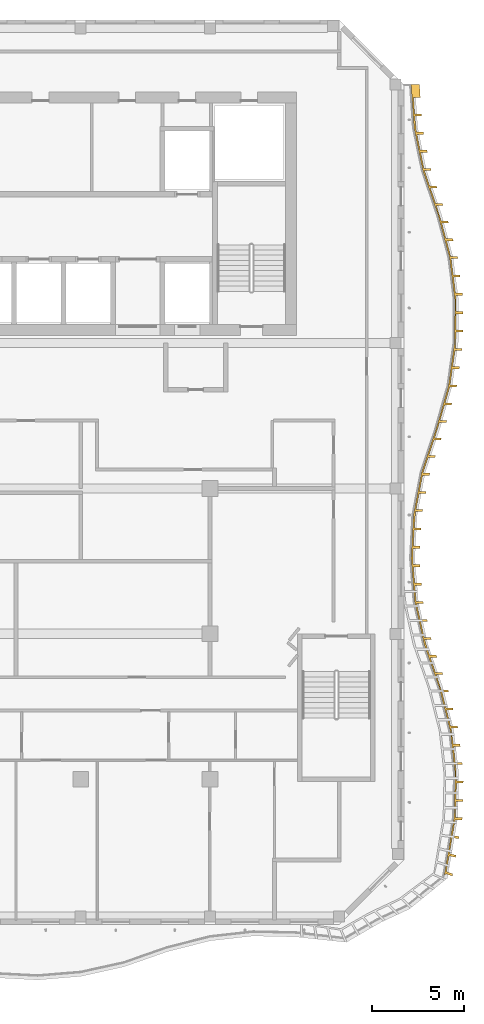
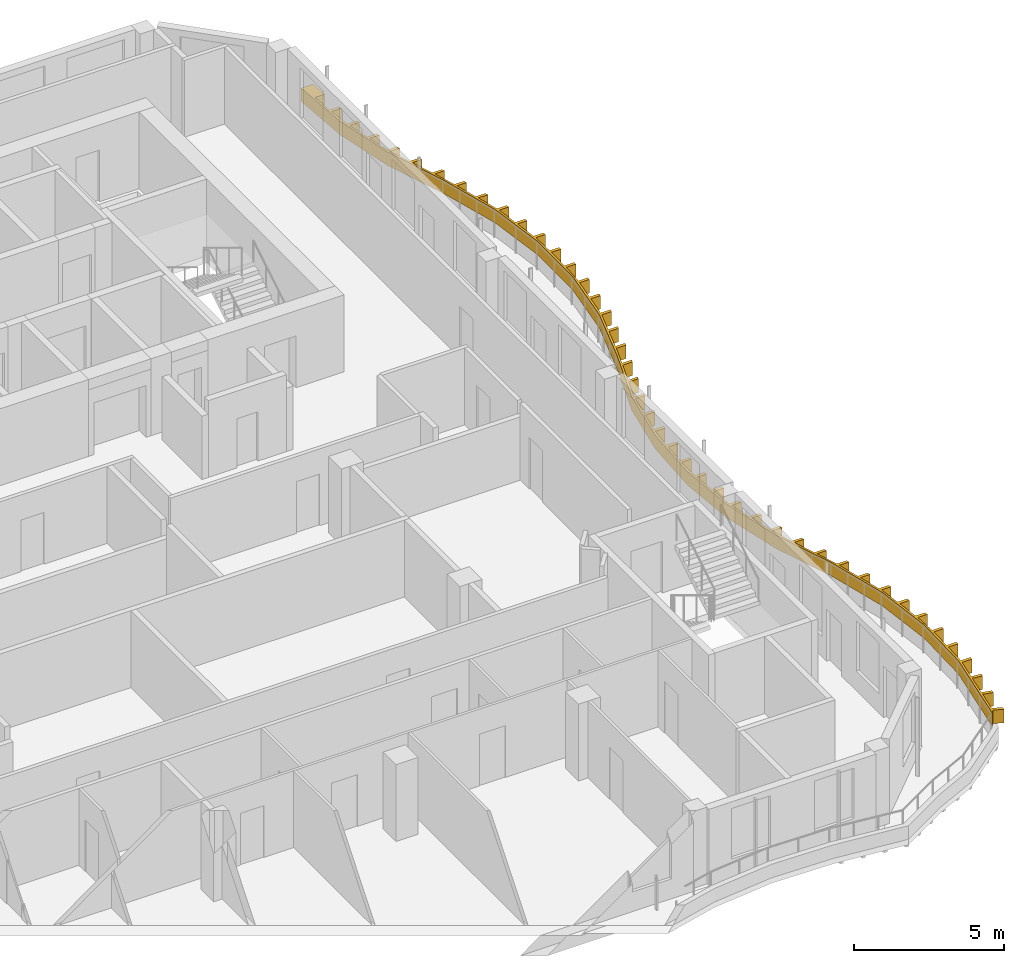
# One storey, part 14 of 17: 1 shading device.
"""IFC4 building model written with IfcOpenShell, lengths in metres."""

from ifc_helpers import new_model, si_unit, direction, frame, origin, place, context, subcontext, project, spatial, polyline, outline, extrude, source, transform, mapped, material, layer, layer_set, type_object, element, save


model = new_model("IFC4")

# Units and contexts
model_context = context("Model", 3, precision=1e-05, world=origin(), true_north=direction((0.0, 1.0)))
body_context = subcontext(model_context, "Body", "Model", "MODEL_VIEW")
ifc_project = project(units=[si_unit("LENGTHUNIT", "METRE"), si_unit("AREAUNIT", "SQUARE_METRE"), si_unit("VOLUMEUNIT", "CUBIC_METRE"), si_unit("PLANEANGLEUNIT", "RADIAN"), si_unit("MASSUNIT", "GRAM", prefix="KILO")], contexts=[model_context])

# Site, building, storey
site_placement = place(None, origin())
site = spatial("IfcSite", under=ifc_project, at=site_placement, CompositionType="ELEMENT")
building_placement = place(site_placement, origin())
building = spatial("IfcBuilding", under=site, at=building_placement, Name="Kilnfold Tower and Market Hall", CompositionType="ELEMENT")
storey_placement = place(building_placement, frame((0.0, 0.0, 301.800048828125)))
storey = spatial("IfcBuildingStorey", under=building, at=storey_placement, Name="L75", CompositionType="ELEMENT", Elevation=301.800048828125)

# Shading device
ifc_material = material(Name="Bronze anodised aluminium", Category="aluminium")
ifc_layer = layer(ifc_material, 0.550048828125)
ifc_layer_set = layer_set([ifc_layer], Name="Bronze anodised aluminium")
shading_device_type = type_object("IfcShadingDeviceType", Name="BRONZE SLAT FASCIA 550", PredefinedType="USERDEFINED", material=ifc_layer_set)
shared_shape = source(origin(), body_context, "Body", "SweptSolid", [
    extrude(outline(polyline([(26.1328125, -20.876220703125), (25.788818359375, -20.74267578125), (25.692138671875, -20.84912109375), (26.231201171875, -17.666748046875), (26.2822265625, -15.333251953125), (26.01806640625, -13.0), (25.424072265625, -10.666748046875), (24.60888671875, -8.333251953125), (24.093017578125, -6.0), (23.90185546875, -3.666748046875), (24.024658203125, -1.333251953125), (24.468505859375, 1.0), (25.248779296875, 3.333251953125), (25.91845703125, 5.666748046875), (26.251953125, 8.0), (26.268798828125, 10.333251953125), (25.97021484375, 12.666748046875), (25.338623046875, 15.0), (24.53662109375, 17.333251953125), (24.056884765625, 19.666748046875), (23.89990234375, 22.0), (24.35009765625, 22.0), (24.397216796875, 21.29736328125), (24.02734375, 21.29736328125), (24.08642578125, 20.419189453125), (24.456298828125, 20.419189453125), (24.46435546875, 20.299560546875), (24.094482421875, 20.299560546875), (24.1865234375, 19.426025390625), (24.556396484375, 19.426025390625), (24.58056640625, 19.30859375), (24.210693359375, 19.30859375), (24.387939453125, 18.446533203125), (24.7578125, 18.446533203125), (24.781982421875, 18.328857421875), (24.412109375, 18.328857421875), (24.589111328125, 17.467041015625), (24.959228515625, 17.467041015625), (24.9833984375, 17.349365234375), (24.61328125, 17.349365234375), (24.8974609375, 16.5166015625), (25.267333984375, 16.5166015625), (25.306396484375, 16.4033203125), (24.936279296875, 16.4033203125), (25.222412109375, 15.57080078125), (25.59228515625, 15.57080078125), (25.63134765625, 15.45751953125), (25.261474609375, 15.45751953125), (25.522216796875, 14.617431640625), (25.89208984375, 14.617431640625), (25.923583984375, 14.501708984375), (25.553466796875, 14.501708984375), (25.783447265625, 13.652099609375), (26.1533203125, 13.652099609375), (26.184814453125, 13.536376953125), (25.814697265625, 13.536376953125), (26.044677734375, 12.68701171875), (26.414794921875, 12.68701171875), (26.420166015625, 12.666748046875), (26.432861328125, 12.568603515625), (26.062744140625, 12.568603515625), (26.174560546875, 11.695556640625), (26.54443359375, 11.695556640625), (26.559814453125, 11.57666015625), (26.189697265625, 11.57666015625), (26.301513671875, 10.70361328125), (26.67138671875, 10.70361328125), (26.686767578125, 10.584716796875), (26.316650390625, 10.584716796875), (26.344482421875, 9.706787109375), (26.71435546875, 9.706787109375), (26.71337890625, 9.586669921875), (26.343505859375, 9.586669921875), (26.337158203125, 8.706787109375), (26.70703125, 8.706787109375), (26.706298828125, 8.5869140625), (26.336181640625, 8.5869140625), (26.29052734375, 7.709716796875), (26.660400390625, 7.709716796875), (26.6435546875, 7.5908203125), (26.2734375, 7.5908203125), (26.14892578125, 6.7197265625), (26.51904296875, 6.7197265625), (26.501953125, 6.60107421875), (26.132080078125, 6.60107421875), (26.00732421875, 5.72998046875), (26.37744140625, 5.72998046875), (26.368408203125, 5.666748046875), (26.352783203125, 5.61279296875), (25.98291015625, 5.61279296875), (25.740234375, 4.766845703125), (26.110107421875, 4.766845703125), (26.0771484375, 4.651611328125), (25.70703125, 4.651611328125), (25.46435546875, 3.8056640625), (25.83447265625, 3.8056640625), (25.80126953125, 3.690185546875), (25.431396484375, 3.690185546875), (25.16748046875, 2.850830078125), (25.53759765625, 2.850830078125), (25.49951171875, 2.737060546875), (25.12939453125, 2.737060546875), (24.850341796875, 1.902587890625), (25.220458984375, 1.902587890625), (25.182373046875, 1.788818359375), (24.8125, 1.788818359375), (24.53955078125, 0.952392578125), (24.90966796875, 0.952392578125), (24.88720703125, 0.834716796875), (24.51708984375, 0.834716796875), (24.352783203125, -0.02978515625), (24.72265625, -0.02978515625), (24.7001953125, -0.147705078125), (24.330078125, -0.147705078125), (24.165771484375, -1.01220703125), (24.535888671875, -1.01220703125), (24.513427734375, -1.130126953125), (24.143310546875, -1.130126953125), (24.0693359375, -2.005615234375), (24.439208984375, -2.005615234375), (24.43310546875, -2.12548828125), (24.06298828125, -2.12548828125), (24.0166015625, -3.004150390625), (24.38671875, -3.004150390625), (24.38037109375, -3.1240234375), (24.010498046875, -3.1240234375), (24.00927734375, -4.002197265625), (24.37939453125, -4.002197265625), (24.38916015625, -4.12158203125), (24.01904296875, -4.12158203125), (24.091064453125, -4.998779296875), (24.4609375, -4.998779296875), (24.470703125, -5.118408203125), (24.100830078125, -5.118408203125), (24.172607421875, -5.995361328125), (24.54248046875, -5.995361328125), (24.56787109375, -6.11279296875), (24.197998046875, -6.11279296875), (24.387939453125, -6.971923828125), (24.7578125, -6.971923828125), (24.783935546875, -7.089111328125), (24.413818359375, -7.089111328125), (24.60400390625, -7.9482421875), (24.973876953125, -7.9482421875), (24.999755859375, -8.0654296875), (24.6298828125, -8.0654296875), (24.888671875, -8.9052734375), (25.2587890625, -8.9052734375), (25.29833984375, -9.0185546875), (24.92822265625, -9.0185546875), (25.218505859375, -9.84912109375), (25.58837890625, -9.84912109375), (25.6279296875, -9.96240234375), (25.258056640625, -9.96240234375), (25.537109375, -10.796630859375), (25.906982421875, -10.796630859375), (25.936767578125, -10.9130859375), (25.566650390625, -10.9130859375), (25.78369140625, -11.765625), (26.15380859375, -11.765625), (26.183349609375, -11.882080078125), (25.8134765625, -11.882080078125), (26.030517578125, -12.73486328125), (26.400634765625, -12.73486328125), (26.43017578125, -12.85107421875), (26.060302734375, -12.85107421875), (26.1796875, -13.7216796875), (26.5498046875, -13.7216796875), (26.563232421875, -13.841064453125), (26.193359375, -13.841064453125), (26.292236328125, -14.71533203125), (26.662353515625, -14.71533203125), (26.67578125, -14.834716796875), (26.305908203125, -14.834716796875), (26.35400390625, -15.71142578125), (26.72412109375, -15.71142578125), (26.72119140625, -15.831298828125), (26.351318359375, -15.831298828125), (26.33203125, -16.711181640625), (26.7021484375, -16.711181640625), (26.699462890625, -16.8310546875), (26.32958984375, -16.8310546875), (26.303955078125, -17.709716796875), (26.673583984375, -17.71142578125), (26.65283203125, -17.833251953125), (26.28369140625, -17.826416015625), (26.13720703125, -18.681640625), (26.500244140625, -18.725830078125), (26.4794921875, -18.84765625), (26.1171875, -18.798095703125), (25.971923828125, -19.653564453125), (26.326904296875, -19.739990234375), (26.30615234375, -19.86181640625), (25.9521484375, -19.770263671875), (25.808349609375, -20.6259765625), (26.153564453125, -20.75439453125), (26.1328125, -20.876220703125)])), origin(), (0.0, 0.0, 1.0), 0.5498046875),
])
shading_device_placement = place(storey_placement, frame((0.0, 0.0, 0.550048828125)))
element("IfcShadingDevice", 1, at=shading_device_placement, inside=storey, type_object=shading_device_type, Name="Balcony slat fascia L75", ObjectType="SLAT", PredefinedType="USERDEFINED", context=body_context, shape_type="MappedRepresentation", body=[
    mapped(shared_shape, transform((0.0, 0.0, 0.0))),
])

save(model, "model.ifc")
